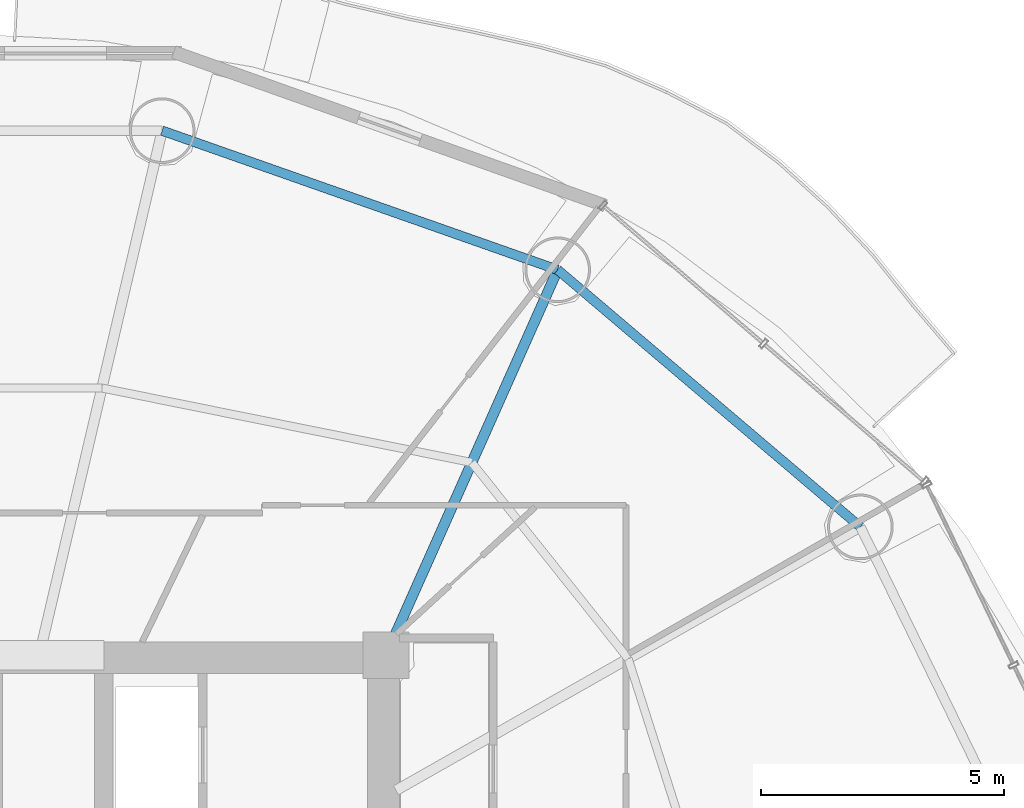
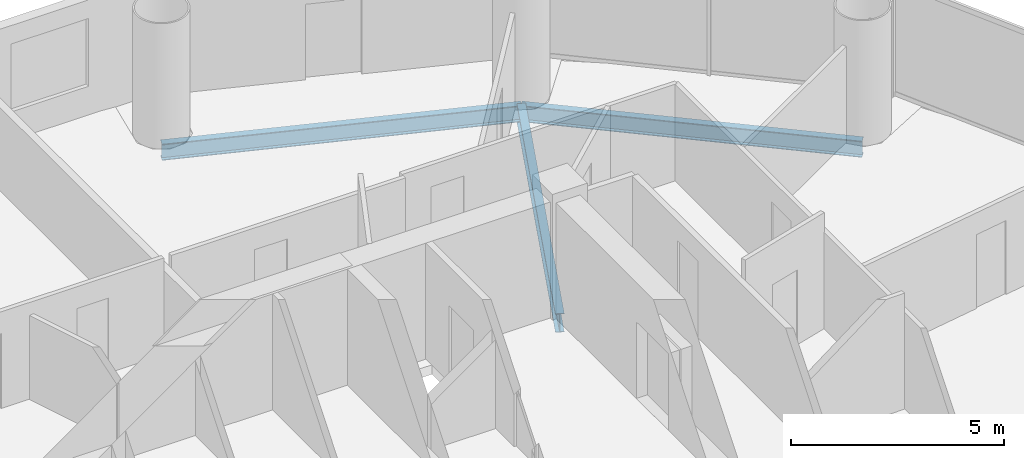
# One storey, part 18 of 27: 3 beams.
"""IFC4 building model written with IfcOpenShell, lengths in metres."""

import ifcopenshell
import ifcopenshell.guid

model = None  # the IFC model being written
_history = None  # IfcOwnerHistory: only IFC2X3 demands one
_inside = {}  # id of a spatial element -> (the spatial element, [elements in it])
_under = {}  # id of a project, library or spatial element -> (it, [spatial elements below it])
_declared = {}  # id of a project -> (the project, [libraries it declares])
_typed = {}  # id of a type object -> (the type object, [elements of that type])
_made_of = {}  # id of a material, layer set ... -> (it, [elements and type objects made of it])


def new_model(schema):
    """Start an empty IFC model of exactly this schema.

    Asked for "IFC4X3", IfcOpenShell would pick the latest addendum, in which some entities
    have other attributes; the version numbers below select the first issue.
    IFC2X3 requires an IfcOwnerHistory on every rooted entity: one is made here for all.
    """
    global model, _history
    if schema == "IFC4X3":
        model = ifcopenshell.file(schema_version=(4, 3, 0, 0))
    else:
        model = ifcopenshell.file(schema=schema)
    _inside.clear()
    _under.clear()
    _declared.clear()
    _typed.clear()
    _made_of.clear()
    _history = None
    if model.schema == "IFC2X3":
        org = make("IfcOrganization", Name="unknown")
        user = make(
            "IfcPersonAndOrganization",
            ThePerson=make("IfcPerson", FamilyName="unknown"),
            TheOrganization=org,
        )
        app = make(
            "IfcApplication",
            ApplicationDeveloper=org,
            Version="unknown",
            ApplicationFullName="unknown",
            ApplicationIdentifier="unknown",
        )
        _history = make(
            "IfcOwnerHistory",
            OwningUser=user,
            OwningApplication=app,
            ChangeAction="ADDED",
            CreationDate=0,
        )
    return model


def make(cls, **values):
    """One entity of the class cls with the attributes given. An attribute that is None is left unset."""
    return model.create_entity(
        cls, **{name: value for name, value in values.items() if value is not None}
    )


def rooted(cls, **values):
    """An entity with a GlobalId (a new one), such as an element, a storey or a relation."""
    return make(cls, GlobalId=ifcopenshell.guid.new(), OwnerHistory=_history, **values)


def si_unit(unit_type, name, prefix=None):
    """IfcSIUnit, for example si_unit("LENGTHUNIT", "METRE", prefix="MILLI")."""
    return make("IfcSIUnit", UnitType=unit_type, Prefix=prefix, Name=name)


def assignment(units):
    """IfcUnitAssignment: the units of a project."""
    return None if units is None else make("IfcUnitAssignment", Units=units)


def point(xyz):
    """IfcCartesianPoint."""
    return None if xyz is None else make("IfcCartesianPoint", Coordinates=xyz)


def direction(xyz):
    """IfcDirection."""
    return None if xyz is None else make("IfcDirection", DirectionRatios=xyz)


def frame(location, z_axis=None, x_axis=None):
    """IfcAxis2Placement3D, a coordinate frame: its origin and axes. An axis left out is left unset."""
    return make(
        "IfcAxis2Placement3D",
        Location=point(location),
        Axis=direction(z_axis),
        RefDirection=direction(x_axis),
    )


def frame_2d(location, x_axis=None):
    """IfcAxis2Placement2D, a coordinate frame in the plane: its origin and x axis."""
    return make(
        "IfcAxis2Placement2D", Location=point(location), RefDirection=direction(x_axis)
    )


def origin():
    """The frame at (0, 0, 0) with its axes left unset."""
    return frame((0.0, 0.0, 0.0))


def origin_2d():
    """The frame at (0, 0) in the plane with its x axis left unset."""
    return frame_2d((0.0, 0.0))


def place(relative_to, where):
    """IfcLocalPlacement: puts the frame where relative to a parent placement (None: the world)."""
    return make(
        "IfcLocalPlacement", PlacementRelTo=relative_to, RelativePlacement=where
    )


def context(
    kind, dimensions, precision=None, world=None, true_north=None, identifier=None
):
    """IfcGeometricRepresentationContext, for example the 3D "Model" context."""
    return make(
        "IfcGeometricRepresentationContext",
        ContextIdentifier=identifier,
        ContextType=kind,
        CoordinateSpaceDimension=dimensions,
        Precision=precision,
        WorldCoordinateSystem=world,
        TrueNorth=true_north,
    )


def subcontext(parent, identifier, kind, view, scale=None):
    """IfcGeometricRepresentationSubContext, for example "Body" below "Model"."""
    return make(
        "IfcGeometricRepresentationSubContext",
        ContextIdentifier=identifier,
        ContextType=kind,
        ParentContext=parent,
        TargetScale=scale,
        TargetView=view,
    )


def project(units=None, contexts=None):
    """IfcProject with its units and contexts."""
    return rooted(
        "IfcProject",
        Name="project",
        RepresentationContexts=contexts,
        UnitsInContext=assignment(units),
    )


def spatial(cls, under=None, at=None, **own):
    """A site, building, storey or space (cls), placed at a placement, below another one or the project."""
    s = rooted(cls, ObjectPlacement=at, **own)
    if under is not None:
        _under.setdefault(under.id(), (under, []))[1].append(s)
    return s


def profile(cls, at=None, kind="AREA", **sizes):
    """A parametric profile (cls). Its sizes go by their IFC names, for example OverallWidth=200.0."""
    return make(cls, ProfileType=kind, Position=at, **sizes)


def i_section(**sizes):
    """IfcIShapeProfileDef."""
    return profile("IfcIShapeProfileDef", **sizes)


def extrude(swept, where, along, depth):
    """IfcExtrudedAreaSolid: the profile swept, set in the frame where, extruded along a direction by depth."""
    return make(
        "IfcExtrudedAreaSolid",
        SweptArea=swept,
        Position=where,
        ExtrudedDirection=direction(along),
        Depth=depth,
    )


def shape(context_of_items, identifier, shape_type, items):
    """IfcShapeRepresentation: the items that make up one representation, for example the "Body"."""
    return make(
        "IfcShapeRepresentation",
        ContextOfItems=context_of_items,
        RepresentationIdentifier=identifier,
        RepresentationType=shape_type,
        Items=items,
    )


def material(Name=None, Category=None):
    """IfcMaterial."""
    return make("IfcMaterial", Name=Name, Category=Category)


def material_profile(
    of_material, cross_section, Name=None, Category=None, Priority=None
):
    """IfcMaterialProfile: a cross section and its material."""
    return make(
        "IfcMaterialProfile",
        Name=Name,
        Material=of_material,
        Profile=cross_section,
        Priority=Priority,
        Category=Category,
    )


def profile_set(profiles, Name=None, composite=None):
    """IfcMaterialProfileSet."""
    return make(
        "IfcMaterialProfileSet",
        Name=Name,
        MaterialProfiles=profiles,
        CompositeProfile=composite,
    )


def made_of(thing, what):
    """Note that an element or type object is made of a material, layer set ...; save() writes the relation."""
    if what is not None:
        _made_of.setdefault(what.id(), (what, []))[1].append(thing)
    return thing


def type_object(cls, material=None, **own):
    """A type object (cls), such as IfcWallType, which elements share."""
    return made_of(rooted(cls, **own), material)


def element(
    cls,
    number,
    at=None,
    inside=None,
    cuts=None,
    type_object=None,
    material=None,
    context=None,
    identifier="Body",
    shape_type=None,
    held_by="IfcProductDefinitionShape",
    body=None,
    shapes=None,
    **own,
):
    """One element of the class cls, such as IfcWall. Its Tag is "e" and its number.

    at: its placement. inside: the storey or other place that contains it. cuts: it is an
    opening in that element (IfcRelVoidsElement). A single representation is given by context,
    identifier, shape_type and body (its items); several are given by shapes. held_by: the class
    of the entity that holds the representations. save() writes the other relations.
    """
    e = rooted(cls, Tag="e%d" % number, ObjectPlacement=at, **own)
    if body is not None:
        shapes = [shape(context, identifier, shape_type, body)]
    if shapes is not None:
        e.Representation = make(held_by, Representations=shapes)
    if inside is not None:
        _inside.setdefault(inside.id(), (inside, []))[1].append(e)
    if cuts is not None:
        rooted(
            "IfcRelVoidsElement", RelatingBuildingElement=cuts, RelatedOpeningElement=e
        )
    if type_object is not None:
        _typed.setdefault(type_object.id(), (type_object, []))[1].append(e)
    return made_of(e, material)


def aggregate(whole, parts):
    """IfcRelAggregates: a whole, such as a stair, and the parts it consists of."""
    return rooted("IfcRelAggregates", RelatingObject=whole, RelatedObjects=parts)


def save(model, path):
    """Write the relations noted so far, then the file.

    IfcRelAggregates (storeys below a building ...), IfcRelContainedInSpatialStructure (elements
    in a storey), IfcRelDefinesByType, IfcRelAssociatesMaterial and IfcRelDeclares: one each for
    every whole, place, type object, material and project.
    """
    for whole, parts in _under.values():
        aggregate(whole, parts)
    for where, things in _inside.values():
        rooted(
            "IfcRelContainedInSpatialStructure",
            RelatedElements=things,
            RelatingStructure=where,
        )
    for kind, things in _typed.values():
        rooted("IfcRelDefinesByType", RelatedObjects=things, RelatingType=kind)
    for what, things in _made_of.values():
        rooted("IfcRelAssociatesMaterial", RelatedObjects=things, RelatingMaterial=what)
    for by, libraries in _declared.values():
        rooted("IfcRelDeclares", RelatingContext=by, RelatedDefinitions=libraries)
    model.write(path)


model = new_model("IFC4")

# Units and contexts
model_context = context("Model", 3, precision=1e-05, world=origin(), true_north=direction((-0.2419218956, 0.970295726276)))
body_context = subcontext(model_context, "Body", "Model", "MODEL_VIEW")
ifc_project = project(units=[si_unit("LENGTHUNIT", "METRE"), si_unit("AREAUNIT", "SQUARE_METRE"), si_unit("VOLUMEUNIT", "CUBIC_METRE"), si_unit("PLANEANGLEUNIT", "RADIAN"), si_unit("MASSUNIT", "GRAM", prefix="KILO")], contexts=[model_context])

# Site, building, storey
site_placement = place(None, origin())
site = spatial("IfcSite", under=ifc_project, at=site_placement, CompositionType="ELEMENT")
building_placement = place(site_placement, origin())
building = spatial("IfcBuilding", under=site, at=building_placement, Name="Cobrevalo Terracotta Tower", CompositionType="ELEMENT")
storey_placement = place(building_placement, frame((0.0, 0.0, 153.39990234375)))
storey = spatial("IfcBuildingStorey", under=building, at=storey_placement, Name="L40", CompositionType="ELEMENT", Elevation=153.39990234375)

# Beams
ifc_material = material(Name="Steel S355", Category="steel")
ifc_material_profile_1 = material_profile(ifc_material, i_section(OverallWidth=0.2109375, OverallDepth=0.5390625, WebThickness=0.01171875, FlangeThickness=0.018798828125, at=origin_2d()), Name="W 530x109")
ifc_profile_set_1 = profile_set([ifc_material_profile_1], Name="Steel S355")
beam_type_1 = type_object("IfcBeamType", Name="Structural Beam W 530x109 (Steel S355)", PredefinedType="BEAM", material=ifc_profile_set_1)
beam_1_placement = place(storey_placement, frame((50.528076171875, 42.72265625, -0.539306640625), z_axis=(-0.406804395691, -0.913515289224, 0.0), x_axis=(0.913515289224, -0.406804395691, 0.0)))
element("IfcBeam", 1, at=beam_1_placement, inside=storey, type_object=beam_type_1, Name="L40 radial floor girder 03", PredefinedType="BEAM", context=body_context, shape_type="SweptSolid", body=[
    extrude(i_section(OverallWidth=0.2109375, OverallDepth=0.5390625, WebThickness=0.01171875, FlangeThickness=0.018798828125, at=origin_2d()), origin(), (0.0, 0.0, 1.0), 8.672607421875),
])
ifc_material_profile_2 = material_profile(ifc_material, i_section(OverallWidth=0.194091796875, OverallDepth=0.468994140625, WebThickness=0.011474609375, FlangeThickness=0.0205078125, at=origin_2d()), Name="W 460x106")
ifc_profile_set_2 = profile_set([ifc_material_profile_2], Name="Steel S355")
beam_type_2 = type_object("IfcBeamType", Name="Structural Spandrel W 460x106 (Steel S355)", PredefinedType="SPANDREL", material=ifc_profile_set_2)
beam_2_placement = place(storey_placement, frame((56.749755859375, 37.439208984375, -0.50439453125), z_axis=(-0.762240337798, 0.647294112003, 0.0), x_axis=(-0.647294112003, -0.762240337798, 0.0)))
element("IfcBeam", 2, at=beam_2_placement, inside=storey, type_object=beam_type_2, Name="L40 perimeter ring spandrel 02", PredefinedType="SPANDREL", context=body_context, shape_type="SweptSolid", body=[
    extrude(i_section(OverallWidth=0.194091796875, OverallDepth=0.468994140625, WebThickness=0.011474609375, FlangeThickness=0.0205078125, at=origin_2d()), origin(), (0.0, 0.0, 1.0), 8.162353515625),
])
beam_3_placement = place(storey_placement, frame((50.528076171875, 42.72265625, -0.50439453125), z_axis=(-0.943341298492, 0.331824041565, 0.0), x_axis=(-0.331824041565, -0.943341298492, 0.0)))
element("IfcBeam", 3, at=beam_3_placement, inside=storey, type_object=beam_type_2, Name="L40 perimeter ring spandrel 03", PredefinedType="SPANDREL", context=body_context, shape_type="SweptSolid", body=[
    extrude(i_section(OverallWidth=0.194091796875, OverallDepth=0.468994140625, WebThickness=0.011474609375, FlangeThickness=0.0205078125, at=origin_2d()), origin(), (0.0, 0.0, 1.0), 8.6171875),
])

save(model, "model.ifc")
